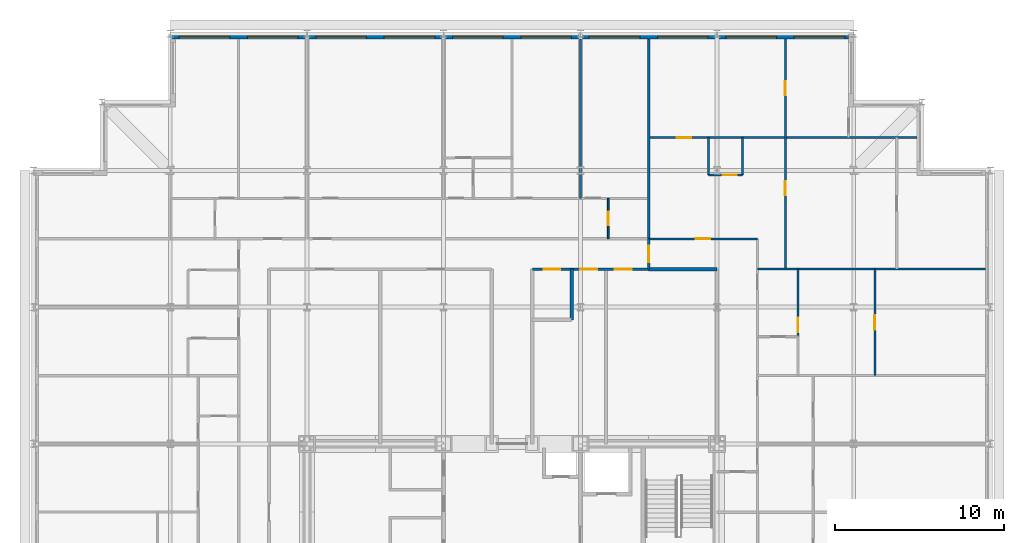
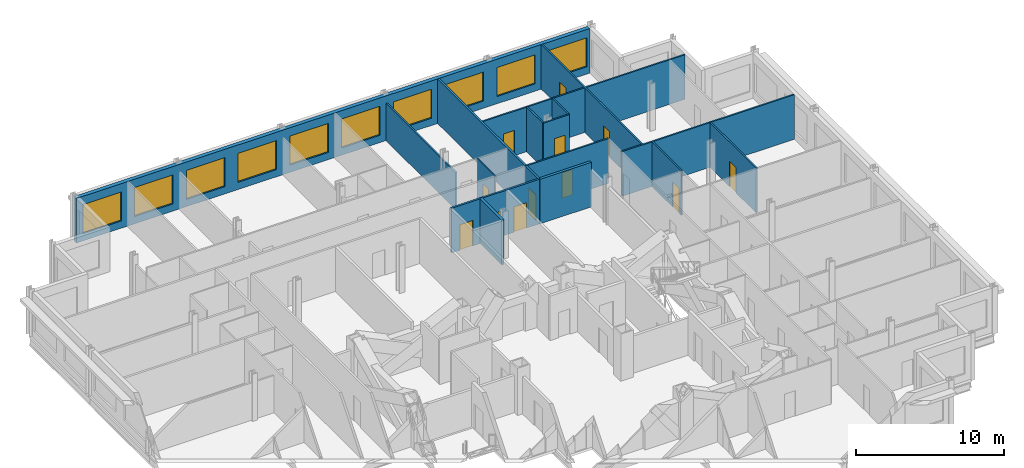
# One storey, part 13 of 15: 17 walls, 12 doors, 10 windows, 22 openings.
"""IFC4 building model written with IfcOpenShell, lengths in metres."""

from ifc_helpers import new_model, si_unit, direction, frame, frame_2d, origin, place, context, subcontext, project, spatial, rectangle, extrude, material, layer, layer_set, type_object, element, fill, save


model = new_model("IFC4")

# Units and contexts
model_context = context("Model", 3, precision=1e-05, world=origin(), true_north=direction((0.0, 1.0)))
body_context = subcontext(model_context, "Body", "Model", "MODEL_VIEW")
ifc_project = project(units=[si_unit("LENGTHUNIT", "METRE"), si_unit("AREAUNIT", "SQUARE_METRE"), si_unit("VOLUMEUNIT", "CUBIC_METRE"), si_unit("PLANEANGLEUNIT", "RADIAN"), si_unit("MASSUNIT", "GRAM", prefix="KILO")], contexts=[model_context])

# Site, building, storey
site_placement = place(None, origin())
site = spatial("IfcSite", under=ifc_project, at=site_placement, CompositionType="ELEMENT")
building_placement = place(site_placement, origin())
building = spatial("IfcBuilding", under=site, at=building_placement, Name="Kopane Lantern Tower", CompositionType="ELEMENT")
storey_placement = place(building_placement, frame((0.0, 0.0, 254.10009765625)))
storey = spatial("IfcBuildingStorey", under=building, at=storey_placement, Name="L65", CompositionType="ELEMENT", Elevation=254.10009765625)

# Wall
ifc_material_1 = material(Name="Gypsum board on steel studs", Category="steel")
ifc_layer_1 = layer(ifc_material_1, 0.1201171875)
ifc_layer_set_1 = layer_set([ifc_layer_1], Name="APARTMENT INTERNAL WALL 120")
wall_type_1 = type_object("IfcWallType", Name="APARTMENT INTERNAL WALL 120", PredefinedType="PARTITIONING", material=ifc_layer_set_1)
wall_1_placement = place(storey_placement, frame((32.39990234375, 55.050048828125, 0.0), z_axis=(0.0, 0.0, 1.0), x_axis=(0.0, 1.0, 0.0)))
element("IfcWall", 1, at=wall_1_placement, inside=storey, type_object=wall_type_1, Name="Apartment Internal Wall 120 L65", PredefinedType="PARTITIONING", context=body_context, shape_type="SweptSolid", body=[
    extrude(rectangle(XDim=9.449951171875, YDim=0.1201171875, at=frame_2d((4.72509765625, 0.0))), origin(), (0.0, 0.0, 1.0), 3.07763671875),
])

# Wall, opening, door
wall_2_placement = place(storey_placement, frame((36.449951171875, 52.64990234375, 0.0), z_axis=(0.0, 0.0, 1.0), x_axis=(1.0, 0.0, 0.0)))
wall_2 = element("IfcWall", 2, at=wall_2_placement, inside=storey, type_object=wall_type_1, Name="Apartment Internal Wall 120 L65", PredefinedType="PARTITIONING", context=body_context, shape_type="SweptSolid", body=[
    extrude(rectangle(XDim=6.449951171875, YDim=0.1201171875, at=frame_2d((3.22509765625, 0.0))), origin(), (0.0, 0.0, 1.0), 3.68994140625),
])
opening_1_placement = place(wall_2_placement, frame((2.800048828125, 0.0, 0.0)))
opening_1 = element("IfcOpeningElement", 3, at=opening_1_placement, cuts=wall_2, Name="Opening L65-053", PredefinedType="OPENING", context=body_context, shape_type="SweptSolid", body=[
    extrude(rectangle(XDim=0.85009765625, YDim=2.10009765625, at=frame_2d((0.425048828125, 1.050048828125))), frame((0.0, 0.070068359375, 0.0), z_axis=(0.0, -1.0, 0.0), x_axis=(1.0, 0.0, 0.0)), (0.0, 0.0, 1.0), 0.14013671875),
])
ifc_material_2 = material(Name="Timber door set", Category="wood")
door_type_1 = type_object("IfcDoorType", Name="DOOR D4 850x2100", OperationType="SINGLE_SWING_LEFT", PredefinedType="DOOR", material=ifc_material_2)
door_1_placement = place(opening_1_placement, origin())
door_1 = element("IfcDoor", 4, at=door_1_placement, inside=storey, type_object=door_type_1, Name="Door L65-053", OperationType="SINGLE_SWING_LEFT", OverallHeight=2.10009765625, OverallWidth=0.85009765625, PredefinedType="DOOR", context=body_context, shape_type="SweptSolid", body=[
    extrude(rectangle(XDim=0.85009765625, YDim=2.10009765625, at=frame_2d((0.425048828125, 1.050048828125))), frame((0.0, 0.02490234375, 0.0), z_axis=(0.0, -1.0, 0.0), x_axis=(1.0, 0.0, 0.0)), (0.0, 0.0, 1.0), 0.050048828125),
])
fill(opening_1, door_1)

# Wall
wall_3_placement = place(storey_placement, frame((42.89990234375, 50.85009765625, 0.0), z_axis=(0.0, 0.0, 1.0), x_axis=(1.0, 0.0, 0.0)))
element("IfcWall", 5, at=wall_3_placement, inside=storey, type_object=wall_type_1, Name="Apartment Internal Wall 120 L65", PredefinedType="PARTITIONING", context=body_context, shape_type="SweptSolid", body=[
    extrude(rectangle(XDim=13.5, YDim=0.1201171875, at=frame_2d((6.75, 0.0))), origin(), (0.0, 0.0, 1.0), 3.68994140625),
])

# Wall, opening, door
wall_4_placement = place(storey_placement, frame((36.449951171875, 58.64990234375, 0.0), z_axis=(0.0, 0.0, 1.0), x_axis=(1.0, 0.0, 0.0)))
wall_4 = element("IfcWall", 6, at=wall_4_placement, inside=storey, type_object=wall_type_1, Name="Apartment Internal Wall 120 L65", PredefinedType="PARTITIONING", context=body_context, shape_type="SweptSolid", body=[
    extrude(rectangle(XDim=15.900146484375, YDim=0.1201171875, at=frame_2d((7.9501953125, 0.0))), origin(), (0.0, 0.0, 1.0), 3.68994140625),
])
opening_2_placement = place(wall_4_placement, frame((1.675048828125, 0.0, 0.0)))
opening_2 = element("IfcOpeningElement", 7, at=opening_2_placement, cuts=wall_4, Name="Opening L65-054", PredefinedType="OPENING", context=body_context, shape_type="SweptSolid", body=[
    extrude(rectangle(XDim=0.85009765625, YDim=2.10009765625, at=frame_2d((0.425048828125, 1.050048828125))), frame((0.0, 0.070068359375, 0.0), z_axis=(0.0, -1.0, 0.0), x_axis=(1.0, 0.0, 0.0)), (0.0, 0.0, 1.0), 0.14013671875),
])
door_2_placement = place(opening_2_placement, origin())
door_2 = element("IfcDoor", 8, at=door_2_placement, inside=storey, type_object=door_type_1, Name="Door L65-054", OperationType="SINGLE_SWING_LEFT", OverallHeight=2.10009765625, OverallWidth=0.85009765625, PredefinedType="DOOR", context=body_context, shape_type="SweptSolid", body=[
    extrude(rectangle(XDim=0.85009765625, YDim=2.10009765625, at=frame_2d((0.425048828125, 1.050048828125))), frame((0.0, 0.02490234375, 0.0), z_axis=(0.0, -1.0, 0.0), x_axis=(1.0, 0.0, 0.0)), (0.0, 0.0, 1.0), 0.050048828125),
])
fill(opening_2, door_2)

# Wall, openings, doors
wall_5_placement = place(storey_placement, frame((44.550048828125, 64.5, 0.0), z_axis=(0.0, 0.0, 1.0), x_axis=(0.0, -1.0, 0.0)))
wall_5 = element("IfcWall", 9, at=wall_5_placement, inside=storey, type_object=wall_type_1, Name="Apartment Internal Wall 120 L65", PredefinedType="PARTITIONING", context=body_context, shape_type="SweptSolid", body=[
    extrude(rectangle(XDim=13.64990234375, YDim=0.1201171875, at=frame_2d((6.824951171875, 0.0))), origin(), (0.0, 0.0, 1.0), 3.68994140625),
])
opening_3_placement = place(wall_5_placement, frame((8.425048828125, 0.0, 0.0)))
opening_3 = element("IfcOpeningElement", 10, at=opening_3_placement, cuts=wall_5, Name="Opening L65-055", PredefinedType="OPENING", context=body_context, shape_type="SweptSolid", body=[
    extrude(rectangle(XDim=0.85009765625, YDim=2.10009765625, at=frame_2d((0.425048828125, 1.050048828125))), frame((0.0, 0.070068359375, 0.0), z_axis=(0.0, -1.0, 0.0), x_axis=(1.0, 0.0, 0.0)), (0.0, 0.0, 1.0), 0.14013671875),
])
opening_4_placement = place(wall_5_placement, frame((2.5, 0.0, 0.0)))
opening_4 = element("IfcOpeningElement", 11, at=opening_4_placement, cuts=wall_5, Name="Opening L65-056", PredefinedType="OPENING", context=body_context, shape_type="SweptSolid", body=[
    extrude(rectangle(XDim=0.85009765625, YDim=2.10009765625, at=frame_2d((0.425048828125, 1.050048828125))), frame((0.0, 0.070068359375, 0.0), z_axis=(0.0, -1.0, 0.0), x_axis=(1.0, 0.0, 0.0)), (0.0, 0.0, 1.0), 0.14013671875),
])
door_3_placement = place(opening_3_placement, origin())
door_3 = element("IfcDoor", 12, at=door_3_placement, inside=storey, type_object=door_type_1, Name="Door L65-055", OperationType="SINGLE_SWING_LEFT", OverallHeight=2.10009765625, OverallWidth=0.85009765625, PredefinedType="DOOR", context=body_context, shape_type="SweptSolid", body=[
    extrude(rectangle(XDim=0.85009765625, YDim=2.10009765625, at=frame_2d((0.425048828125, 1.050048828125))), frame((0.0, 0.02490234375, 0.0), z_axis=(0.0, -1.0, 0.0), x_axis=(1.0, 0.0, 0.0)), (0.0, 0.0, 1.0), 0.050048828125),
])
fill(opening_3, door_3)
door_4_placement = place(opening_4_placement, origin())
door_4 = element("IfcDoor", 13, at=door_4_placement, inside=storey, type_object=door_type_1, Name="Door L65-056", OperationType="SINGLE_SWING_RIGHT", OverallHeight=2.10009765625, OverallWidth=0.85009765625, PredefinedType="DOOR", context=body_context, shape_type="SweptSolid", body=[
    extrude(rectangle(XDim=0.85009765625, YDim=2.10009765625, at=frame_2d((0.425048828125, 1.050048828125))), frame((0.0, 0.02490234375, 0.0), z_axis=(0.0, -1.0, 0.0), x_axis=(1.0, 0.0, 0.0)), (0.0, 0.0, 1.0), 0.050048828125),
])
fill(opening_4, door_4)

# Wall, opening, door
wall_6_placement = place(storey_placement, frame((45.300048828125, 50.85009765625, 0.0), z_axis=(0.0, 0.0, 1.0), x_axis=(0.0, -1.0, 0.0)))
wall_6 = element("IfcWall", 14, at=wall_6_placement, inside=storey, type_object=wall_type_1, Name="Apartment Internal Wall 120 L65", PredefinedType="PARTITIONING", context=body_context, shape_type="SweptSolid", body=[
    extrude(rectangle(XDim=4.010009765625, YDim=0.1201171875, at=frame_2d((2.0048828125, 0.0))), origin(), (0.0, 0.0, 1.0), 3.68994140625),
])
opening_5_placement = place(wall_6_placement, frame((2.885009765625, 0.0, 0.0)))
opening_5 = element("IfcOpeningElement", 15, at=opening_5_placement, cuts=wall_6, Name="Opening L65-065", PredefinedType="OPENING", context=body_context, shape_type="SweptSolid", body=[
    extrude(rectangle(XDim=0.85009765625, YDim=2.10009765625, at=frame_2d((0.425048828125, 1.050048828125))), frame((0.0, 0.070068359375, 0.0), z_axis=(0.0, -1.0, 0.0), x_axis=(1.0, 0.0, 0.0)), (0.0, 0.0, 1.0), 0.14013671875),
])
door_5_placement = place(opening_5_placement, origin())
door_5 = element("IfcDoor", 16, at=door_5_placement, inside=storey, type_object=door_type_1, Name="Door L65-065", OperationType="SINGLE_SWING_LEFT", OverallHeight=2.10009765625, OverallWidth=0.85009765625, PredefinedType="DOOR", context=body_context, shape_type="SweptSolid", body=[
    extrude(rectangle(XDim=0.85009765625, YDim=2.10009765625, at=frame_2d((0.425048828125, 1.050048828125))), frame((0.0, 0.02490234375, 0.0), z_axis=(0.0, -1.0, 0.0), x_axis=(1.0, 0.0, 0.0)), (0.0, 0.0, 1.0), 0.050048828125),
])
fill(opening_5, door_5)

wall_7_placement = place(storey_placement, frame((49.85009765625, 44.550048828125, 0.0), z_axis=(0.0, 0.0, 1.0), x_axis=(0.0, 1.0, 0.0)))
wall_7 = element("IfcWall", 17, at=wall_7_placement, inside=storey, type_object=wall_type_1, Name="Apartment Internal Wall 120 L65", PredefinedType="PARTITIONING", context=body_context, shape_type="SweptSolid", body=[
    extrude(rectangle(XDim=6.300048828125, YDim=0.1201171875, at=frame_2d((3.14990234375, 0.0))), origin(), (0.0, 0.0, 1.0), 3.68994140625),
])
opening_6_placement = place(wall_7_placement, frame((2.72509765625, 0.0, 0.0)))
opening_6 = element("IfcOpeningElement", 18, at=opening_6_placement, cuts=wall_7, Name="Opening L65-071", PredefinedType="OPENING", context=body_context, shape_type="SweptSolid", body=[
    extrude(rectangle(XDim=0.85009765625, YDim=2.10009765625, at=frame_2d((0.425048828125, 1.050048828125))), frame((0.0, 0.070068359375, 0.0), z_axis=(0.0, -1.0, 0.0), x_axis=(1.0, 0.0, 0.0)), (0.0, 0.0, 1.0), 0.14013671875),
])
door_6_placement = place(opening_6_placement, origin())
door_6 = element("IfcDoor", 19, at=door_6_placement, inside=storey, type_object=door_type_1, Name="Door L65-071", OperationType="SINGLE_SWING_LEFT", OverallHeight=2.10009765625, OverallWidth=0.85009765625, PredefinedType="DOOR", context=body_context, shape_type="SweptSolid", body=[
    extrude(rectangle(XDim=0.85009765625, YDim=2.10009765625, at=frame_2d((0.425048828125, 1.050048828125))), frame((0.0, 0.02490234375, 0.0), z_axis=(0.0, -1.0, 0.0), x_axis=(1.0, 0.0, 0.0)), (0.0, 0.0, 1.0), 0.050048828125),
])
fill(opening_6, door_6)

# Walls
for number, where, z_axis, x_axis, name in (
    (20, (39.9970703125, 58.64990234375, 0.0), (0.0, 0.0, 1.0), (0.0, -1.0, 0.0), "Apartment Internal Wall 120 L65"),
    (21, (42.0029296875, 58.64990234375, 0.0), (0.0, 0.0, 1.0), (0.0, -1.0, 0.0), "Apartment Internal Wall 120 L65"),
):
    element("IfcWall", number, at=place(storey_placement, frame(where, z_axis=z_axis, x_axis=x_axis)), inside=storey, type_object=wall_type_1, Name=name, PredefinedType="PARTITIONING", context=body_context, shape_type="SweptSolid", body=[
        extrude(rectangle(XDim=2.212890625, YDim=0.1201171875, at=frame_2d((1.1064453125, 0.0))), origin(), (0.0, 0.0, 1.0), 3.68994140625),
    ])

# Wall, opening, door
wall_8_placement = place(storey_placement, frame((39.9970703125, 56.43701171875, 0.0), z_axis=(0.0, 0.0, 1.0), x_axis=(1.0, 0.0, 0.0)))
wall_8 = element("IfcWall", 22, at=wall_8_placement, inside=storey, type_object=wall_type_1, Name="Apartment Internal Wall 120 L65", PredefinedType="PARTITIONING", context=body_context, shape_type="SweptSolid", body=[
    extrude(rectangle(XDim=2.005859375, YDim=0.1201171875, at=frame_2d((1.0029296875, 0.0))), origin(), (0.0, 0.0, 1.0), 3.68994140625),
])
opening_7_placement = place(wall_8_placement, frame((0.8310546875, 0.0, 0.0)))
opening_7 = element("IfcOpeningElement", 23, at=opening_7_placement, cuts=wall_8, Name="Opening L65-074", PredefinedType="OPENING", context=body_context, shape_type="SweptSolid", body=[
    extrude(rectangle(XDim=0.85009765625, YDim=2.10009765625, at=frame_2d((0.425048828125, 1.050048828125))), frame((0.0, 0.070068359375, 0.0), z_axis=(0.0, -1.0, 0.0), x_axis=(1.0, 0.0, 0.0)), (0.0, 0.0, 1.0), 0.14013671875),
])
door_7_placement = place(opening_7_placement, origin())
door_7 = element("IfcDoor", 24, at=door_7_placement, inside=storey, type_object=door_type_1, Name="Door L65-074", OperationType="SINGLE_SWING_RIGHT", OverallHeight=2.10009765625, OverallWidth=0.85009765625, PredefinedType="DOOR", context=body_context, shape_type="SweptSolid", body=[
    extrude(rectangle(XDim=0.85009765625, YDim=2.10009765625, at=frame_2d((0.425048828125, 1.050048828125))), frame((0.0, 0.02490234375, 0.0), z_axis=(0.0, -1.0, 0.0), x_axis=(1.0, 0.0, 0.0)), (0.0, 0.0, 1.0), 0.050048828125),
])
fill(opening_7, door_7)

ifc_material_3 = material(Name="Moisture-resistant board on steel studs", Category="steel")
ifc_layer_2 = layer(ifc_material_3, 0.10009765625)
ifc_layer_set_2 = layer_set([ifc_layer_2], Name="BATHROOM WALL 100")
wall_type_2 = type_object("IfcWallType", Name="BATHROOM WALL 100", PredefinedType="PARTITIONING", material=ifc_layer_set_2)
wall_9_placement = place(storey_placement, frame((34.050048828125, 52.64990234375, 0.0), z_axis=(0.0, 0.0, 1.0), x_axis=(0.0, 1.0, 0.0)))
wall_9 = element("IfcWall", 25, at=wall_9_placement, inside=storey, type_object=wall_type_2, Name="Bathroom Wall 100 L65", PredefinedType="PARTITIONING", context=body_context, shape_type="SweptSolid", body=[
    extrude(rectangle(XDim=2.400146484375, YDim=0.10009765625, at=frame_2d((1.2001953125, 0.0))), origin(), (0.0, 0.0, 1.0), 3.68994140625),
])
opening_8_placement = place(wall_9_placement, frame((0.800048828125, 0.0, 0.0)))
opening_8 = element("IfcOpeningElement", 26, at=opening_8_placement, cuts=wall_9, Name="Opening L65-018", PredefinedType="OPENING", context=body_context, shape_type="SweptSolid", body=[
    extrude(rectangle(XDim=0.800048828125, YDim=2.10009765625, at=frame_2d((0.39990234375, 1.050048828125))), frame((0.0, 0.06005859375, 0.0), z_axis=(0.0, -1.0, 0.0), x_axis=(1.0, 0.0, 0.0)), (0.0, 0.0, 1.0), 0.1201171875),
])
ifc_material_4 = material(Name="Timber door set", Category="wood")
door_type_2 = type_object("IfcDoorType", Name="DOOR D2 800x2100", OperationType="SINGLE_SWING_LEFT", PredefinedType="DOOR", material=ifc_material_4)
door_8_placement = place(opening_8_placement, origin())
door_8 = element("IfcDoor", 27, at=door_8_placement, inside=storey, type_object=door_type_2, Name="Door L65-018", OperationType="SINGLE_SWING_RIGHT", OverallHeight=2.10009765625, OverallWidth=0.800048828125, PredefinedType="DOOR", context=body_context, shape_type="SweptSolid", body=[
    extrude(rectangle(XDim=0.800048828125, YDim=2.10009765625, at=frame_2d((0.39990234375, 1.050048828125))), frame((0.0, 0.02490234375, 0.0), z_axis=(0.0, -1.0, 0.0), x_axis=(1.0, 0.0, 0.0)), (0.0, 0.0, 1.0), 0.050048828125),
])
fill(opening_8, door_8)

# Wall, openings, doors
ifc_material_5 = material(Name="Gypsum board on steel studs", Category="steel")
ifc_layer_3 = layer(ifc_material_5, 0.14990234375)
ifc_layer_set_3 = layer_set([ifc_layer_3], Name="CORRIDOR WALL 150 EI 60")
wall_type_3 = type_object("IfcWallType", Name="CORRIDOR WALL 150 EI 60", PredefinedType="PARTITIONING", material=ifc_layer_set_3)
wall_10_placement = place(storey_placement, frame((29.56005859375, 50.85009765625, 0.0), z_axis=(0.0, 0.0, 1.0), x_axis=(1.0, 0.0, 0.0)))
wall_10 = element("IfcWall", 28, at=wall_10_placement, inside=storey, type_object=wall_type_3, Name="Corridor Wall 150 Ei 60 L65", PredefinedType="PARTITIONING", context=body_context, shape_type="SweptSolid", body=[
    extrude(rectangle(XDim=6.889892578125, YDim=0.14990234375, at=frame_2d((3.44482421875, 0.0))), origin(), (0.0, 0.0, 1.0), 3.68994140625),
])
opening_9_placement = place(wall_10_placement, frame((0.65673828125, 0.0, 0.0)))
opening_9 = element("IfcOpeningElement", 29, at=opening_9_placement, cuts=wall_10, Name="Opening L65-005", PredefinedType="OPENING", context=body_context, shape_type="SweptSolid", body=[
    extrude(rectangle(XDim=1.0, YDim=2.10009765625, at=frame_2d((0.5, 1.050048828125))), frame((0.0, 0.0849609375, 0.0), z_axis=(0.0, -1.0, 0.0), x_axis=(1.0, 0.0, 0.0)), (0.0, 0.0, 1.0), 0.169921875),
])
opening_10_placement = place(wall_10_placement, frame((2.840087890625, 0.0, 0.0)))
opening_10 = element("IfcOpeningElement", 30, at=opening_10_placement, cuts=wall_10, Name="Opening L65-006", PredefinedType="OPENING", context=body_context, shape_type="SweptSolid", body=[
    extrude(rectangle(XDim=1.0, YDim=2.10009765625, at=frame_2d((0.5, 1.050048828125))), frame((0.0, 0.0849609375, 0.0), z_axis=(0.0, -1.0, 0.0), x_axis=(1.0, 0.0, 0.0)), (0.0, 0.0, 1.0), 0.169921875),
])
opening_11_placement = place(wall_10_placement, frame((4.873291015625, 0.0, 0.0)))
opening_11 = element("IfcOpeningElement", 31, at=opening_11_placement, cuts=wall_10, Name="Opening L65-007", PredefinedType="OPENING", context=body_context, shape_type="SweptSolid", body=[
    extrude(rectangle(XDim=1.0, YDim=2.10009765625, at=frame_2d((0.5, 1.050048828125))), frame((0.0, 0.0849609375, 0.0), z_axis=(0.0, -1.0, 0.0), x_axis=(1.0, 0.0, 0.0)), (0.0, 0.0, 1.0), 0.169921875),
])
ifc_material_6 = material(Name="Steel door set", Category="steel")
door_type_3 = type_object("IfcDoorType", Name="DOOR D5 1000x2100 FD60", OperationType="SINGLE_SWING_LEFT", PredefinedType="DOOR", material=ifc_material_6)
door_9_placement = place(opening_9_placement, origin())
door_9 = element("IfcDoor", 32, at=door_9_placement, inside=storey, type_object=door_type_3, Name="Door L65-005", OperationType="SINGLE_SWING_RIGHT", OverallHeight=2.10009765625, OverallWidth=1.0, PredefinedType="DOOR", context=body_context, shape_type="SweptSolid", body=[
    extrude(rectangle(XDim=1.0, YDim=2.10009765625, at=frame_2d((0.5, 1.050048828125))), frame((0.0, 0.02490234375, 0.0), z_axis=(0.0, -1.0, 0.0), x_axis=(1.0, 0.0, 0.0)), (0.0, 0.0, 1.0), 0.050048828125),
])
fill(opening_9, door_9)
door_10_placement = place(opening_10_placement, origin())
door_10 = element("IfcDoor", 33, at=door_10_placement, inside=storey, type_object=door_type_3, Name="Door L65-006", OperationType="SINGLE_SWING_LEFT", OverallHeight=2.10009765625, OverallWidth=1.0, PredefinedType="DOOR", context=body_context, shape_type="SweptSolid", body=[
    extrude(rectangle(XDim=1.0, YDim=2.10009765625, at=frame_2d((0.5, 1.050048828125))), frame((0.0, 0.02490234375, 0.0), z_axis=(0.0, -1.0, 0.0), x_axis=(1.0, 0.0, 0.0)), (0.0, 0.0, 1.0), 0.050048828125),
])
fill(opening_10, door_10)
door_11_placement = place(opening_11_placement, origin())
door_11 = element("IfcDoor", 34, at=door_11_placement, inside=storey, type_object=door_type_3, Name="Door L65-007", OperationType="SINGLE_SWING_RIGHT", OverallHeight=2.10009765625, OverallWidth=1.0, PredefinedType="DOOR", context=body_context, shape_type="SweptSolid", body=[
    extrude(rectangle(XDim=1.0, YDim=2.10009765625, at=frame_2d((0.5, 1.050048828125))), frame((0.0, 0.02490234375, 0.0), z_axis=(0.0, -1.0, 0.0), x_axis=(1.0, 0.0, 0.0)), (0.0, 0.0, 1.0), 0.050048828125),
])
fill(opening_11, door_11)

# Wall, opening, door
wall_11_placement = place(storey_placement, frame((36.449951171875, 50.85009765625, 0.0), z_axis=(0.0, 0.0, 1.0), x_axis=(0.0, 1.0, 0.0)))
wall_11 = element("IfcWall", 35, at=wall_11_placement, inside=storey, type_object=wall_type_3, Name="Corridor Wall 150 Ei 60 L65", PredefinedType="PARTITIONING", context=body_context, shape_type="SweptSolid", body=[
    extrude(rectangle(XDim=1.7998046875, YDim=0.14990234375, at=frame_2d((0.89990234375, 0.0))), origin(), (0.0, 0.0, 1.0), 3.68994140625),
])
opening_12_placement = place(wall_11_placement, frame((0.39990234375, 0.0, 0.0)))
opening_12 = element("IfcOpeningElement", 36, at=opening_12_placement, cuts=wall_11, Name="Opening L65-051", PredefinedType="OPENING", context=body_context, shape_type="SweptSolid", body=[
    extrude(rectangle(XDim=1.0, YDim=2.10009765625, at=frame_2d((0.5, 1.050048828125))), frame((0.0, 0.0849609375, 0.0), z_axis=(0.0, -1.0, 0.0), x_axis=(1.0, 0.0, 0.0)), (0.0, 0.0, 1.0), 0.169921875),
])
ifc_material_7 = material(Name="Steel door set", Category="steel")
door_type_4 = type_object("IfcDoorType", Name="DOOR D3 1000x2100 FD30S", OperationType="SINGLE_SWING_LEFT", PredefinedType="DOOR", material=ifc_material_7)
door_12_placement = place(opening_12_placement, origin())
door_12 = element("IfcDoor", 37, at=door_12_placement, inside=storey, type_object=door_type_4, Name="Door L65-051", OperationType="SINGLE_SWING_RIGHT", OverallHeight=2.10009765625, OverallWidth=1.0, PredefinedType="DOOR", context=body_context, shape_type="SweptSolid", body=[
    extrude(rectangle(XDim=1.0, YDim=2.10009765625, at=frame_2d((0.5, 1.050048828125))), frame((0.0, 0.02490234375, 0.0), z_axis=(0.0, -1.0, 0.0), x_axis=(1.0, 0.0, 0.0)), (0.0, 0.0, 1.0), 0.050048828125),
])
fill(opening_12, door_12)

# Wall
ifc_material_8 = material(Name="Gypsum board on steel studs", Category="steel")
ifc_layer_4 = layer(ifc_material_8, 0.14990234375)
ifc_layer_set_4 = layer_set([ifc_layer_4], Name="DEMISING WALL 150 EI 60")
wall_type_4 = type_object("IfcWallType", Name="DEMISING WALL 150 EI 60", PredefinedType="PARTITIONING", material=ifc_layer_set_4)
wall_12_placement = place(storey_placement, frame((36.449951171875, 64.5, 0.0), z_axis=(0.0, 0.0, 1.0), x_axis=(0.0, -1.0, 0.0)))
element("IfcWall", 38, at=wall_12_placement, inside=storey, type_object=wall_type_4, Name="Demising Wall 150 Ei 60 L65", PredefinedType="PARTITIONING", context=body_context, shape_type="SweptSolid", body=[
    extrude(rectangle(XDim=11.85009765625, YDim=0.14990234375, at=frame_2d((5.925048828125, 0.0))), origin(), (0.0, 0.0, 1.0), 3.68994140625),
])

# Wall, openings, windows
ifc_material_9 = material(Name="Terracotta rainscreen on light steel framing", Category="masonry")
ifc_layer_5 = layer(ifc_material_9, 0.300048828125)
ifc_layer_set_5 = layer_set([ifc_layer_5], Name="EXTERNAL WALL EW1 300 TERRACOTTA")
wall_type_5 = type_object("IfcWallType", Name="EXTERNAL WALL EW1 300 TERRACOTTA", PredefinedType="SOLIDWALL", material=ifc_layer_set_5)
wall_13_placement = place(storey_placement, frame((48.300048828125, 64.64990234375, 0.0), z_axis=(0.0, 0.0, 1.0), x_axis=(-1.0, 0.0, 0.0)))
wall_13 = element("IfcWall", 39, at=wall_13_placement, inside=storey, type_object=wall_type_5, Name="External wall N L65", PredefinedType="SOLIDWALL", context=body_context, shape_type="SweptSolid", body=[
    extrude(rectangle(XDim=40.199951171875, YDim=0.300048828125, at=frame_2d((20.10009765625, 0.0))), origin(), (0.0, 0.0, 1.0), 3.68994140625),
])
opening_13_placement = place(wall_13_placement, frame((0.22509765625, 0.0, 0.60009765625)))
opening_13 = element("IfcOpeningElement", 40, at=opening_13_placement, cuts=wall_13, Name="Opening WR300240", PredefinedType="OPENING", context=body_context, shape_type="SweptSolid", body=[
    extrude(rectangle(XDim=3.0, YDim=2.39990234375, at=frame_2d((1.5, 1.199951171875))), frame((0.0, 0.159912109375, 0.0), z_axis=(0.0, -1.0, 0.0), x_axis=(1.0, 0.0, 0.0)), (0.0, 0.0, 1.0), 0.320068359375),
])
opening_14_placement = place(wall_13_placement, frame((4.27490234375, 0.0, 0.60009765625)))
opening_14 = element("IfcOpeningElement", 41, at=opening_14_placement, cuts=wall_13, Name="Opening WR300240", PredefinedType="OPENING", context=body_context, shape_type="SweptSolid", body=[
    extrude(rectangle(XDim=3.0, YDim=2.39990234375, at=frame_2d((1.5, 1.199951171875))), frame((0.0, 0.159912109375, 0.0), z_axis=(0.0, -1.0, 0.0), x_axis=(1.0, 0.0, 0.0)), (0.0, 0.0, 1.0), 0.320068359375),
])
opening_15_placement = place(wall_13_placement, frame((8.324951171875, 0.0, 0.60009765625)))
opening_15 = element("IfcOpeningElement", 42, at=opening_15_placement, cuts=wall_13, Name="Opening WR300240", PredefinedType="OPENING", context=body_context, shape_type="SweptSolid", body=[
    extrude(rectangle(XDim=3.0, YDim=2.39990234375, at=frame_2d((1.5, 1.199951171875))), frame((0.0, 0.159912109375, 0.0), z_axis=(0.0, -1.0, 0.0), x_axis=(1.0, 0.0, 0.0)), (0.0, 0.0, 1.0), 0.320068359375),
])
opening_16_placement = place(wall_13_placement, frame((12.375, 0.0, 0.60009765625)))
opening_16 = element("IfcOpeningElement", 43, at=opening_16_placement, cuts=wall_13, Name="Opening WR300240", PredefinedType="OPENING", context=body_context, shape_type="SweptSolid", body=[
    extrude(rectangle(XDim=3.0, YDim=2.39990234375, at=frame_2d((1.5, 1.199951171875))), frame((0.0, 0.159912109375, 0.0), z_axis=(0.0, -1.0, 0.0), x_axis=(1.0, 0.0, 0.0)), (0.0, 0.0, 1.0), 0.320068359375),
])
opening_17_placement = place(wall_13_placement, frame((16.425048828125, 0.0, 0.60009765625)))
opening_17 = element("IfcOpeningElement", 44, at=opening_17_placement, cuts=wall_13, Name="Opening WR300240", PredefinedType="OPENING", context=body_context, shape_type="SweptSolid", body=[
    extrude(rectangle(XDim=3.0, YDim=2.39990234375, at=frame_2d((1.5, 1.199951171875))), frame((0.0, 0.159912109375, 0.0), z_axis=(0.0, -1.0, 0.0), x_axis=(1.0, 0.0, 0.0)), (0.0, 0.0, 1.0), 0.320068359375),
])
opening_18_placement = place(wall_13_placement, frame((20.47509765625, 0.0, 0.60009765625)))
opening_18 = element("IfcOpeningElement", 45, at=opening_18_placement, cuts=wall_13, Name="Opening WR300240", PredefinedType="OPENING", context=body_context, shape_type="SweptSolid", body=[
    extrude(rectangle(XDim=3.0, YDim=2.39990234375, at=frame_2d((1.5, 1.199951171875))), frame((0.0, 0.159912109375, 0.0), z_axis=(0.0, -1.0, 0.0), x_axis=(1.0, 0.0, 0.0)), (0.0, 0.0, 1.0), 0.320068359375),
])
opening_19_placement = place(wall_13_placement, frame((24.52490234375, 0.0, 0.60009765625)))
opening_19 = element("IfcOpeningElement", 46, at=opening_19_placement, cuts=wall_13, Name="Opening WR300240", PredefinedType="OPENING", context=body_context, shape_type="SweptSolid", body=[
    extrude(rectangle(XDim=3.0, YDim=2.39990234375, at=frame_2d((1.5, 1.199951171875))), frame((0.0, 0.159912109375, 0.0), z_axis=(0.0, -1.0, 0.0), x_axis=(1.0, 0.0, 0.0)), (0.0, 0.0, 1.0), 0.320068359375),
])
opening_20_placement = place(wall_13_placement, frame((28.574951171875, 0.0, 0.60009765625)))
opening_20 = element("IfcOpeningElement", 47, at=opening_20_placement, cuts=wall_13, Name="Opening WR300240", PredefinedType="OPENING", context=body_context, shape_type="SweptSolid", body=[
    extrude(rectangle(XDim=3.0, YDim=2.39990234375, at=frame_2d((1.5, 1.199951171875))), frame((0.0, 0.159912109375, 0.0), z_axis=(0.0, -1.0, 0.0), x_axis=(1.0, 0.0, 0.0)), (0.0, 0.0, 1.0), 0.320068359375),
])
opening_21_placement = place(wall_13_placement, frame((32.625, 0.0, 0.60009765625)))
opening_21 = element("IfcOpeningElement", 48, at=opening_21_placement, cuts=wall_13, Name="Opening WR300240", PredefinedType="OPENING", context=body_context, shape_type="SweptSolid", body=[
    extrude(rectangle(XDim=3.0, YDim=2.39990234375, at=frame_2d((1.5, 1.199951171875))), frame((0.0, 0.159912109375, 0.0), z_axis=(0.0, -1.0, 0.0), x_axis=(1.0, 0.0, 0.0)), (0.0, 0.0, 1.0), 0.320068359375),
])
opening_22_placement = place(wall_13_placement, frame((36.675048828125, 0.0, 0.60009765625)))
opening_22 = element("IfcOpeningElement", 49, at=opening_22_placement, cuts=wall_13, Name="Opening WR300240", PredefinedType="OPENING", context=body_context, shape_type="SweptSolid", body=[
    extrude(rectangle(XDim=3.0, YDim=2.39990234375, at=frame_2d((1.5, 1.199951171875))), frame((0.0, 0.159912109375, 0.0), z_axis=(0.0, -1.0, 0.0), x_axis=(1.0, 0.0, 0.0)), (0.0, 0.0, 1.0), 0.320068359375),
])
ifc_material_10 = material(Name="Aluminium and clear glass", Category="aluminium")
window_type = type_object("IfcWindowType", Name="RIBBON WINDOW WR300240 3000x2400", PartitioningType="SINGLE_PANEL", PredefinedType="WINDOW", material=ifc_material_10)
window_1_placement = place(opening_13_placement, origin())
window_1 = element("IfcWindow", 50, at=window_1_placement, inside=storey, type_object=window_type, Name="Window N L65", OverallHeight=2.39990234375, OverallWidth=3.0, PartitioningType="SINGLE_PANEL", PredefinedType="WINDOW", context=body_context, shape_type="SweptSolid", body=[
    extrude(rectangle(XDim=3.0, YDim=2.39990234375, at=frame_2d((1.5, 1.199951171875))), frame((0.0, 0.030029296875, 0.0), z_axis=(0.0, -1.0, 0.0), x_axis=(1.0, 0.0, 0.0)), (0.0, 0.0, 1.0), 0.06005859375),
])
fill(opening_13, window_1)
window_2_placement = place(opening_14_placement, origin())
window_2 = element("IfcWindow", 51, at=window_2_placement, inside=storey, type_object=window_type, Name="Window N L65", OverallHeight=2.39990234375, OverallWidth=3.0, PartitioningType="SINGLE_PANEL", PredefinedType="WINDOW", context=body_context, shape_type="SweptSolid", body=[
    extrude(rectangle(XDim=3.0, YDim=2.39990234375, at=frame_2d((1.5, 1.199951171875))), frame((0.0, 0.030029296875, 0.0), z_axis=(0.0, -1.0, 0.0), x_axis=(1.0, 0.0, 0.0)), (0.0, 0.0, 1.0), 0.06005859375),
])
fill(opening_14, window_2)
window_3_placement = place(opening_15_placement, origin())
window_3 = element("IfcWindow", 52, at=window_3_placement, inside=storey, type_object=window_type, Name="Window N L65", OverallHeight=2.39990234375, OverallWidth=3.0, PartitioningType="SINGLE_PANEL", PredefinedType="WINDOW", context=body_context, shape_type="SweptSolid", body=[
    extrude(rectangle(XDim=3.0, YDim=2.39990234375, at=frame_2d((1.5, 1.199951171875))), frame((0.0, 0.030029296875, 0.0), z_axis=(0.0, -1.0, 0.0), x_axis=(1.0, 0.0, 0.0)), (0.0, 0.0, 1.0), 0.06005859375),
])
fill(opening_15, window_3)
window_4_placement = place(opening_16_placement, origin())
window_4 = element("IfcWindow", 53, at=window_4_placement, inside=storey, type_object=window_type, Name="Window N L65", OverallHeight=2.39990234375, OverallWidth=3.0, PartitioningType="SINGLE_PANEL", PredefinedType="WINDOW", context=body_context, shape_type="SweptSolid", body=[
    extrude(rectangle(XDim=3.0, YDim=2.39990234375, at=frame_2d((1.5, 1.199951171875))), frame((0.0, 0.030029296875, 0.0), z_axis=(0.0, -1.0, 0.0), x_axis=(1.0, 0.0, 0.0)), (0.0, 0.0, 1.0), 0.06005859375),
])
fill(opening_16, window_4)
window_5_placement = place(opening_17_placement, origin())
window_5 = element("IfcWindow", 54, at=window_5_placement, inside=storey, type_object=window_type, Name="Window N L65", OverallHeight=2.39990234375, OverallWidth=3.0, PartitioningType="SINGLE_PANEL", PredefinedType="WINDOW", context=body_context, shape_type="SweptSolid", body=[
    extrude(rectangle(XDim=3.0, YDim=2.39990234375, at=frame_2d((1.5, 1.199951171875))), frame((0.0, 0.030029296875, 0.0), z_axis=(0.0, -1.0, 0.0), x_axis=(1.0, 0.0, 0.0)), (0.0, 0.0, 1.0), 0.06005859375),
])
fill(opening_17, window_5)
window_6_placement = place(opening_18_placement, origin())
window_6 = element("IfcWindow", 55, at=window_6_placement, inside=storey, type_object=window_type, Name="Window N L65", OverallHeight=2.39990234375, OverallWidth=3.0, PartitioningType="SINGLE_PANEL", PredefinedType="WINDOW", context=body_context, shape_type="SweptSolid", body=[
    extrude(rectangle(XDim=3.0, YDim=2.39990234375, at=frame_2d((1.5, 1.199951171875))), frame((0.0, 0.030029296875, 0.0), z_axis=(0.0, -1.0, 0.0), x_axis=(1.0, 0.0, 0.0)), (0.0, 0.0, 1.0), 0.06005859375),
])
fill(opening_18, window_6)
window_7_placement = place(opening_19_placement, origin())
window_7 = element("IfcWindow", 56, at=window_7_placement, inside=storey, type_object=window_type, Name="Window N L65", OverallHeight=2.39990234375, OverallWidth=3.0, PartitioningType="SINGLE_PANEL", PredefinedType="WINDOW", context=body_context, shape_type="SweptSolid", body=[
    extrude(rectangle(XDim=3.0, YDim=2.39990234375, at=frame_2d((1.5, 1.199951171875))), frame((0.0, 0.030029296875, 0.0), z_axis=(0.0, -1.0, 0.0), x_axis=(1.0, 0.0, 0.0)), (0.0, 0.0, 1.0), 0.06005859375),
])
fill(opening_19, window_7)
window_8_placement = place(opening_20_placement, origin())
window_8 = element("IfcWindow", 57, at=window_8_placement, inside=storey, type_object=window_type, Name="Window N L65", OverallHeight=2.39990234375, OverallWidth=3.0, PartitioningType="SINGLE_PANEL", PredefinedType="WINDOW", context=body_context, shape_type="SweptSolid", body=[
    extrude(rectangle(XDim=3.0, YDim=2.39990234375, at=frame_2d((1.5, 1.199951171875))), frame((0.0, 0.030029296875, 0.0), z_axis=(0.0, -1.0, 0.0), x_axis=(1.0, 0.0, 0.0)), (0.0, 0.0, 1.0), 0.06005859375),
])
fill(opening_20, window_8)
window_9_placement = place(opening_21_placement, origin())
window_9 = element("IfcWindow", 58, at=window_9_placement, inside=storey, type_object=window_type, Name="Window N L65", OverallHeight=2.39990234375, OverallWidth=3.0, PartitioningType="SINGLE_PANEL", PredefinedType="WINDOW", context=body_context, shape_type="SweptSolid", body=[
    extrude(rectangle(XDim=3.0, YDim=2.39990234375, at=frame_2d((1.5, 1.199951171875))), frame((0.0, 0.030029296875, 0.0), z_axis=(0.0, -1.0, 0.0), x_axis=(1.0, 0.0, 0.0)), (0.0, 0.0, 1.0), 0.06005859375),
])
fill(opening_21, window_9)
window_10_placement = place(opening_22_placement, origin())
window_10 = element("IfcWindow", 59, at=window_10_placement, inside=storey, type_object=window_type, Name="Window N L65", OverallHeight=2.39990234375, OverallWidth=3.0, PartitioningType="SINGLE_PANEL", PredefinedType="WINDOW", context=body_context, shape_type="SweptSolid", body=[
    extrude(rectangle(XDim=3.0, YDim=2.39990234375, at=frame_2d((1.5, 1.199951171875))), frame((0.0, 0.030029296875, 0.0), z_axis=(0.0, -1.0, 0.0), x_axis=(1.0, 0.0, 0.0)), (0.0, 0.0, 1.0), 0.06005859375),
])
fill(opening_22, window_10)

# Walls
ifc_material_11 = material(Name="Concrete masonry", Category="masonry")
ifc_layer_6 = layer(ifc_material_11, 0.199951171875)
ifc_layer_set_6 = layer_set([ifc_layer_6], Name="PLANT ROOM WALL 200 EI 120")
wall_type_6 = type_object("IfcWallType", Name="PLANT ROOM WALL 200 EI 120", PredefinedType="SOLIDWALL", material=ifc_layer_set_6)
wall_14_placement = place(storey_placement, frame((31.88330078125, 50.85009765625, 0.0), z_axis=(0.0, 0.0, 1.0), x_axis=(0.0, -1.0, 0.0)))
element("IfcWall", 60, at=wall_14_placement, inside=storey, type_object=wall_type_6, Name="Plant Room Wall 200 Ei 120 L65", PredefinedType="SOLIDWALL", context=body_context, shape_type="SweptSolid", body=[
    extrude(rectangle(XDim=3.0, YDim=0.199951171875, at=frame_2d((1.5, 0.0))), origin(), (0.0, 0.0, 1.0), 3.68994140625),
])
wall_15_placement = place(storey_placement, frame((36.449951171875, 50.85009765625, 0.0), z_axis=(0.0, 0.0, 1.0), x_axis=(1.0, 0.0, 0.0)))
element("IfcWall", 61, at=wall_15_placement, inside=storey, type_object=wall_type_6, Name="Plant Room Wall 200 Ei 120 L65", PredefinedType="SOLIDWALL", context=body_context, shape_type="SweptSolid", body=[
    extrude(rectangle(XDim=4.050048828125, YDim=0.199951171875, at=frame_2d((2.02490234375, 0.0))), origin(), (0.0, 0.0, 1.0), 3.68994140625),
])

save(model, "model.ifc")
